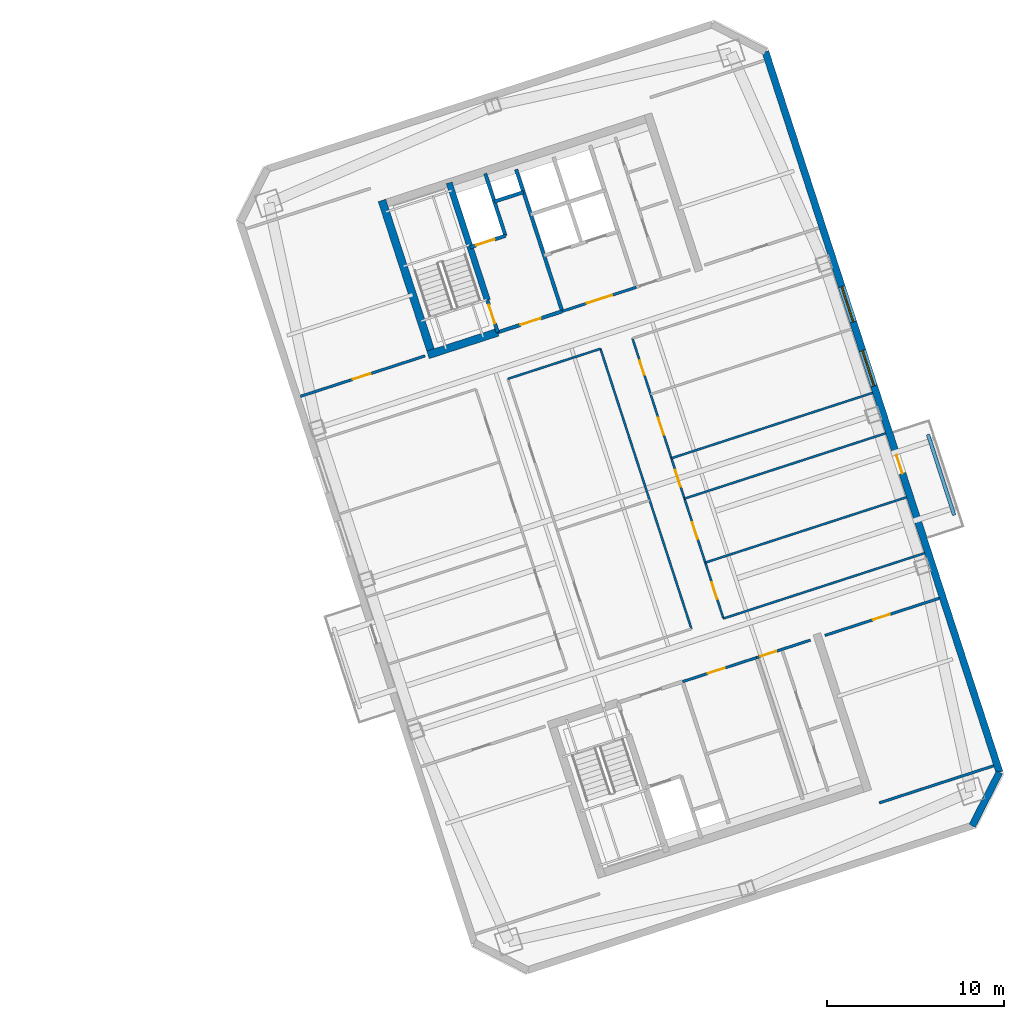
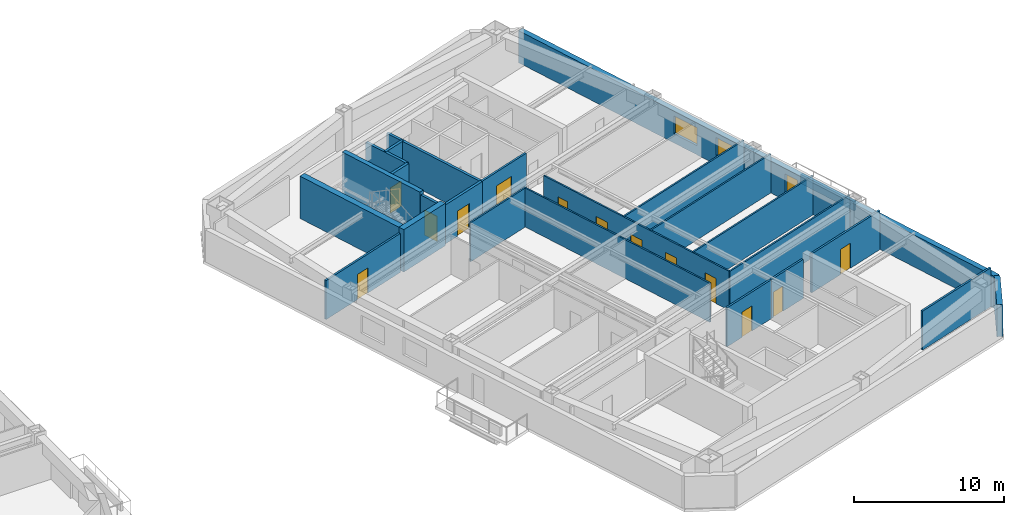
# One storey, part 10 of 16: 25 walls, 14 doors, 2 windows, 16 openings.
"""IFC4 building model written with IfcOpenShell, lengths in metres."""

import ifcopenshell
import ifcopenshell.guid

model = None  # the IFC model being written
_history = None  # IfcOwnerHistory: only IFC2X3 demands one
_inside = {}  # id of a spatial element -> (the spatial element, [elements in it])
_under = {}  # id of a project, library or spatial element -> (it, [spatial elements below it])
_declared = {}  # id of a project -> (the project, [libraries it declares])
_typed = {}  # id of a type object -> (the type object, [elements of that type])
_made_of = {}  # id of a material, layer set ... -> (it, [elements and type objects made of it])


def new_model(schema):
    """Start an empty IFC model of exactly this schema.

    Asked for "IFC4X3", IfcOpenShell would pick the latest addendum, in which some entities
    have other attributes; the version numbers below select the first issue.
    IFC2X3 requires an IfcOwnerHistory on every rooted entity: one is made here for all.
    """
    global model, _history
    if schema == "IFC4X3":
        model = ifcopenshell.file(schema_version=(4, 3, 0, 0))
    else:
        model = ifcopenshell.file(schema=schema)
    _inside.clear()
    _under.clear()
    _declared.clear()
    _typed.clear()
    _made_of.clear()
    _history = None
    if model.schema == "IFC2X3":
        org = make("IfcOrganization", Name="unknown")
        user = make(
            "IfcPersonAndOrganization",
            ThePerson=make("IfcPerson", FamilyName="unknown"),
            TheOrganization=org,
        )
        app = make(
            "IfcApplication",
            ApplicationDeveloper=org,
            Version="unknown",
            ApplicationFullName="unknown",
            ApplicationIdentifier="unknown",
        )
        _history = make(
            "IfcOwnerHistory",
            OwningUser=user,
            OwningApplication=app,
            ChangeAction="ADDED",
            CreationDate=0,
        )
    return model


def make(cls, **values):
    """One entity of the class cls with the attributes given. An attribute that is None is left unset."""
    return model.create_entity(
        cls, **{name: value for name, value in values.items() if value is not None}
    )


def rooted(cls, **values):
    """An entity with a GlobalId (a new one), such as an element, a storey or a relation."""
    return make(cls, GlobalId=ifcopenshell.guid.new(), OwnerHistory=_history, **values)


def si_unit(unit_type, name, prefix=None):
    """IfcSIUnit, for example si_unit("LENGTHUNIT", "METRE", prefix="MILLI")."""
    return make("IfcSIUnit", UnitType=unit_type, Prefix=prefix, Name=name)


def assignment(units):
    """IfcUnitAssignment: the units of a project."""
    return None if units is None else make("IfcUnitAssignment", Units=units)


def point(xyz):
    """IfcCartesianPoint."""
    return None if xyz is None else make("IfcCartesianPoint", Coordinates=xyz)


def direction(xyz):
    """IfcDirection."""
    return None if xyz is None else make("IfcDirection", DirectionRatios=xyz)


def frame(location, z_axis=None, x_axis=None):
    """IfcAxis2Placement3D, a coordinate frame: its origin and axes. An axis left out is left unset."""
    return make(
        "IfcAxis2Placement3D",
        Location=point(location),
        Axis=direction(z_axis),
        RefDirection=direction(x_axis),
    )


def frame_2d(location, x_axis=None):
    """IfcAxis2Placement2D, a coordinate frame in the plane: its origin and x axis."""
    return make(
        "IfcAxis2Placement2D", Location=point(location), RefDirection=direction(x_axis)
    )


def origin():
    """The frame at (0, 0, 0) with its axes left unset."""
    return frame((0.0, 0.0, 0.0))


def place(relative_to, where):
    """IfcLocalPlacement: puts the frame where relative to a parent placement (None: the world)."""
    return make(
        "IfcLocalPlacement", PlacementRelTo=relative_to, RelativePlacement=where
    )


def context(
    kind, dimensions, precision=None, world=None, true_north=None, identifier=None
):
    """IfcGeometricRepresentationContext, for example the 3D "Model" context."""
    return make(
        "IfcGeometricRepresentationContext",
        ContextIdentifier=identifier,
        ContextType=kind,
        CoordinateSpaceDimension=dimensions,
        Precision=precision,
        WorldCoordinateSystem=world,
        TrueNorth=true_north,
    )


def subcontext(parent, identifier, kind, view, scale=None):
    """IfcGeometricRepresentationSubContext, for example "Body" below "Model"."""
    return make(
        "IfcGeometricRepresentationSubContext",
        ContextIdentifier=identifier,
        ContextType=kind,
        ParentContext=parent,
        TargetScale=scale,
        TargetView=view,
    )


def project(units=None, contexts=None):
    """IfcProject with its units and contexts."""
    return rooted(
        "IfcProject",
        Name="project",
        RepresentationContexts=contexts,
        UnitsInContext=assignment(units),
    )


def spatial(cls, under=None, at=None, **own):
    """A site, building, storey or space (cls), placed at a placement, below another one or the project."""
    s = rooted(cls, ObjectPlacement=at, **own)
    if under is not None:
        _under.setdefault(under.id(), (under, []))[1].append(s)
    return s


def profile(cls, at=None, kind="AREA", **sizes):
    """A parametric profile (cls). Its sizes go by their IFC names, for example OverallWidth=200.0."""
    return make(cls, ProfileType=kind, Position=at, **sizes)


def rectangle(**sizes):
    """IfcRectangleProfileDef."""
    return profile("IfcRectangleProfileDef", **sizes)


def extrude(swept, where, along, depth):
    """IfcExtrudedAreaSolid: the profile swept, set in the frame where, extruded along a direction by depth."""
    return make(
        "IfcExtrudedAreaSolid",
        SweptArea=swept,
        Position=where,
        ExtrudedDirection=direction(along),
        Depth=depth,
    )


def shape(context_of_items, identifier, shape_type, items):
    """IfcShapeRepresentation: the items that make up one representation, for example the "Body"."""
    return make(
        "IfcShapeRepresentation",
        ContextOfItems=context_of_items,
        RepresentationIdentifier=identifier,
        RepresentationType=shape_type,
        Items=items,
    )


def material(Name=None, Category=None):
    """IfcMaterial."""
    return make("IfcMaterial", Name=Name, Category=Category)


def layer(
    of_material, thickness, ventilated=None, Name=None, Category=None, Priority=None
):
    """IfcMaterialLayer: one layer of a wall or slab, of a material (None: an air gap)."""
    return make(
        "IfcMaterialLayer",
        Material=of_material,
        LayerThickness=thickness,
        IsVentilated=ventilated,
        Name=Name,
        Category=Category,
        Priority=Priority,
    )


def layer_set(layers, Name=None):
    """IfcMaterialLayerSet."""
    return make("IfcMaterialLayerSet", MaterialLayers=layers, LayerSetName=Name)


def made_of(thing, what):
    """Note that an element or type object is made of a material, layer set ...; save() writes the relation."""
    if what is not None:
        _made_of.setdefault(what.id(), (what, []))[1].append(thing)
    return thing


def type_object(cls, material=None, **own):
    """A type object (cls), such as IfcWallType, which elements share."""
    return made_of(rooted(cls, **own), material)


def element(
    cls,
    number,
    at=None,
    inside=None,
    cuts=None,
    type_object=None,
    material=None,
    context=None,
    identifier="Body",
    shape_type=None,
    held_by="IfcProductDefinitionShape",
    body=None,
    shapes=None,
    **own,
):
    """One element of the class cls, such as IfcWall. Its Tag is "e" and its number.

    at: its placement. inside: the storey or other place that contains it. cuts: it is an
    opening in that element (IfcRelVoidsElement). A single representation is given by context,
    identifier, shape_type and body (its items); several are given by shapes. held_by: the class
    of the entity that holds the representations. save() writes the other relations.
    """
    e = rooted(cls, Tag="e%d" % number, ObjectPlacement=at, **own)
    if body is not None:
        shapes = [shape(context, identifier, shape_type, body)]
    if shapes is not None:
        e.Representation = make(held_by, Representations=shapes)
    if inside is not None:
        _inside.setdefault(inside.id(), (inside, []))[1].append(e)
    if cuts is not None:
        rooted(
            "IfcRelVoidsElement", RelatingBuildingElement=cuts, RelatedOpeningElement=e
        )
    if type_object is not None:
        _typed.setdefault(type_object.id(), (type_object, []))[1].append(e)
    return made_of(e, material)


def fill(opening, filler):
    """IfcRelFillsElement: the door or window that sits in an opening."""
    return rooted(
        "IfcRelFillsElement",
        RelatingOpeningElement=opening,
        RelatedBuildingElement=filler,
    )


def aggregate(whole, parts):
    """IfcRelAggregates: a whole, such as a stair, and the parts it consists of."""
    return rooted("IfcRelAggregates", RelatingObject=whole, RelatedObjects=parts)


def save(model, path):
    """Write the relations noted so far, then the file.

    IfcRelAggregates (storeys below a building ...), IfcRelContainedInSpatialStructure (elements
    in a storey), IfcRelDefinesByType, IfcRelAssociatesMaterial and IfcRelDeclares: one each for
    every whole, place, type object, material and project.
    """
    for whole, parts in _under.values():
        aggregate(whole, parts)
    for where, things in _inside.values():
        rooted(
            "IfcRelContainedInSpatialStructure",
            RelatedElements=things,
            RelatingStructure=where,
        )
    for kind, things in _typed.values():
        rooted("IfcRelDefinesByType", RelatedObjects=things, RelatingType=kind)
    for what, things in _made_of.values():
        rooted("IfcRelAssociatesMaterial", RelatedObjects=things, RelatingMaterial=what)
    for by, libraries in _declared.values():
        rooted("IfcRelDeclares", RelatingContext=by, RelatedDefinitions=libraries)
    model.write(path)


model = new_model("IFC4")

# Units and contexts
model_context = context("Model", 3, precision=1e-05, world=origin(), true_north=direction((0.0, 1.0)))
body_context = subcontext(model_context, "Body", "Model", "MODEL_VIEW")
ifc_project = project(units=[si_unit("LENGTHUNIT", "METRE"), si_unit("AREAUNIT", "SQUARE_METRE"), si_unit("VOLUMEUNIT", "CUBIC_METRE"), si_unit("PLANEANGLEUNIT", "RADIAN"), si_unit("MASSUNIT", "GRAM", prefix="KILO")], contexts=[model_context])

# Site, building, storey
site_placement = place(None, origin())
site = spatial("IfcSite", under=ifc_project, at=site_placement, CompositionType="ELEMENT")
building_placement = place(site_placement, origin())
building = spatial("IfcBuilding", under=site, at=building_placement, Name="Qiaolan Cultural Towers", CompositionType="ELEMENT")
storey_placement = place(building_placement, frame((0.0, 0.0, 188.60009765625)))
storey = spatial("IfcBuildingStorey", under=building, at=storey_placement, Name="L50", CompositionType="ELEMENT", Elevation=188.60009765625)

# Walls
ifc_material_1 = material(Name="Concrete C50", Category="concrete")
ifc_layer_1 = layer(ifc_material_1, 0.35009765625)
ifc_layer_set_1 = layer_set([ifc_layer_1], Name="Concrete C50")
wall_type_1 = type_object("IfcWallType", Name="WL-CORE-350", PredefinedType="SHEAR", material=ifc_layer_set_1)
wall_1_placement = place(storey_placement, frame((82.513671875, 45.13134765625, 0.0), z_axis=(0.0, 0.0, 1.0), x_axis=(-0.308988790936, 0.951065679686, 0.0)))
element("IfcWall", 1, at=wall_1_placement, inside=storey, type_object=wall_type_1, Name="L50 T2-CN Stair Core Dividing Web", PredefinedType="SHEAR", context=body_context, shape_type="SweptSolid", body=[
    extrude(rectangle(XDim=6.97998046875, YDim=0.35009765625, at=frame_2d((3.489990234375, 0.0))), origin(), (0.0, 0.0, 1.0), 3.449951171875),
])
ifc_material_2 = material(Name="Concrete C50", Category="concrete")
ifc_layer_2 = layer(ifc_material_2, 0.449951171875)
ifc_layer_set_2 = layer_set([ifc_layer_2], Name="Concrete C50")
wall_type_2 = type_object("IfcWallType", Name="WL-CORE-450", PredefinedType="SHEAR", material=ifc_layer_set_2)
wall_2_placement = place(storey_placement, frame((79.4423828125, 41.899169921875, 0.0), z_axis=(0.0, 0.0, 1.0), x_axis=(-0.309035778627, 0.951050412717, 0.0)))
element("IfcWall", 2, at=wall_2_placement, inside=storey, type_object=wall_type_2, Name="L50 T2-CN West Core Shear Wall", PredefinedType="SHEAR", context=body_context, shape_type="SweptSolid", body=[
    extrude(rectangle(XDim=9.330078125, YDim=0.449951171875, at=frame_2d((4.6650390625, 0.0))), origin(), (0.0, 0.0, 1.0), 3.449951171875),
])
wall_3_placement = place(storey_placement, frame((79.15869140625, 42.04345703125, 0.0), z_axis=(0.0, 0.0, 1.0), x_axis=(0.951047485828, 0.309044785913, 0.0)))
element("IfcWall", 3, at=wall_3_placement, inside=storey, type_object=wall_type_2, Name="L50 T2-CN Stair Front Shear Wall", PredefinedType="SHEAR", context=body_context, shape_type="SweptSolid", body=[
    extrude(rectangle(XDim=4.14501953125, YDim=0.449951171875, at=frame_2d((2.072509765625, 0.0))), origin(), (0.0, 0.0, 1.0), 3.449951171875),
])

# Wall, openings, door, windows
ifc_material_3 = material(Name="Precast Concrete C50 Honed Stone Pier", Category="masonry")
ifc_layer_3 = layer(ifc_material_3, 0.39990234375)
ifc_layer_set_3 = layer_set([ifc_layer_3], Name="Precast Concrete C50 Honed Stone Pier")
wall_type_3 = type_object("IfcWallType", Name="WL-EXT-PIER-400", PredefinedType="SOLIDWALL", material=ifc_layer_set_3)
wall_4_placement = place(storey_placement, frame((98.2236328125, 59.17333984375, 0.0), z_axis=(0.0, 0.0, 1.0), x_axis=(0.309014228706, -0.951057414911, 0.0)))
wall_4 = element("IfcWall", 4, at=wall_4_placement, inside=storey, type_object=wall_type_3, Name="L50 East Tower Precast Pier Facade Wall F5", PredefinedType="SOLIDWALL", context=body_context, shape_type="SweptSolid", body=[
    extrude(rectangle(XDim=42.800048828125, YDim=0.39990234375, at=frame_2d((21.39990234375, 0.0))), origin(), (0.0, 0.0, 1.0), 2.60986328125),
])
opening_1_placement = place(wall_4_placement, frame((17.75, 0.0, 0.75)))
opening_1 = element("IfcOpeningElement", 5, at=opening_1_placement, cuts=wall_4, Name="Opening W-05", PredefinedType="OPENING", context=body_context, shape_type="SweptSolid", body=[
    extrude(rectangle(XDim=2.10009765625, YDim=1.4599609375, at=frame_2d((1.050048828125, 0.72998046875))), frame((0.0, 0.2099609375, 0.0), z_axis=(0.0, -1.0, 0.0), x_axis=(1.0, 0.0, 0.0)), (0.0, 0.0, 1.0), 0.419921875),
])
opening_2_placement = place(wall_4_placement, frame((13.949951171875, 0.0, 0.75)))
opening_2 = element("IfcOpeningElement", 6, at=opening_2_placement, cuts=wall_4, Name="Opening W-05", PredefinedType="OPENING", context=body_context, shape_type="SweptSolid", body=[
    extrude(rectangle(XDim=2.10009765625, YDim=1.4599609375, at=frame_2d((1.050048828125, 0.72998046875))), frame((0.0, 0.2099609375, 0.0), z_axis=(0.0, -1.0, 0.0), x_axis=(1.0, 0.0, 0.0)), (0.0, 0.0, 1.0), 0.419921875),
])
opening_3_placement = place(wall_4_placement, frame((23.949951171875, 0.0, 0.0)))
opening_3 = element("IfcOpeningElement", 7, at=opening_3_placement, cuts=wall_4, Name="Opening BD-01", PredefinedType="OPENING", context=body_context, shape_type="SweptSolid", body=[
    extrude(rectangle(XDim=1.10009765625, YDim=2.14990234375, at=frame_2d((0.550048828125, 1.074951171875))), frame((0.0, 0.2099609375, 0.0), z_axis=(0.0, -1.0, 0.0), x_axis=(1.0, 0.0, 0.0)), (0.0, 0.0, 1.0), 0.419921875),
])
ifc_material_4 = material(Name="Thermally Broken Aluminium Glazed Terrace Door", Category="aluminium")
door_type_1 = type_object("IfcDoorType", Name="DR-BAL-1100", OperationType="NOTDEFINED", PredefinedType="DOOR", material=ifc_material_4)
door_1_placement = place(opening_3_placement, origin())
door_1 = element("IfcDoor", 8, at=door_1_placement, inside=storey, type_object=door_type_1, Name="L50 T2 East Tree Balcony Door", OperationType="SINGLE_SWING_RIGHT", OverallHeight=2.14990234375, OverallWidth=1.10009765625, PredefinedType="DOOR", context=body_context, shape_type="SweptSolid", body=[
    extrude(rectangle(XDim=1.10009765625, YDim=2.14990234375, at=frame_2d((0.550048828125, 1.074951171875))), frame((0.0, 0.02490234375, 0.0), z_axis=(0.0, -1.0, 0.0), x_axis=(1.0, 0.0, 0.0)), (0.0, 0.0, 1.0), 0.050048828125),
])
fill(opening_3, door_1)
ifc_material_5 = material(Name="Thermally Broken Aluminium Triple Low-E Glazing", Category="aluminium")
window_type = type_object("IfcWindowType", Name="WN-CHIC-2100", PartitioningType="SINGLE_PANEL", PredefinedType="WINDOW", material=ifc_material_5)
window_1_placement = place(opening_1_placement, origin())
window_1 = element("IfcWindow", 9, at=window_1_placement, inside=storey, type_object=window_type, Name="L50 T2 E Chicago Bay Window 1", OverallHeight=1.4599609375, OverallWidth=2.10009765625, PartitioningType="TRIPLE_PANEL_VERTICAL", PredefinedType="WINDOW", context=body_context, shape_type="SweptSolid", body=[
    extrude(rectangle(XDim=2.10009765625, YDim=1.4599609375, at=frame_2d((1.050048828125, 0.72998046875))), frame((0.0, 0.030029296875, 0.0), z_axis=(0.0, -1.0, 0.0), x_axis=(1.0, 0.0, 0.0)), (0.0, 0.0, 1.0), 0.06005859375),
])
fill(opening_1, window_1)
window_2_placement = place(opening_2_placement, origin())
window_2 = element("IfcWindow", 10, at=window_2_placement, inside=storey, type_object=window_type, Name="L50 T2 E Chicago Bay Window 2", OverallHeight=1.4599609375, OverallWidth=2.10009765625, PartitioningType="TRIPLE_PANEL_VERTICAL", PredefinedType="WINDOW", context=body_context, shape_type="SweptSolid", body=[
    extrude(rectangle(XDim=2.10009765625, YDim=1.4599609375, at=frame_2d((1.050048828125, 0.72998046875))), frame((0.0, 0.030029296875, 0.0), z_axis=(0.0, -1.0, 0.0), x_axis=(1.0, 0.0, 0.0)), (0.0, 0.0, 1.0), 0.06005859375),
])
fill(opening_2, window_2)

# Wall
wall_5_placement = place(storey_placement, frame((111.449462890625, 18.468017578125, 0.0), z_axis=(0.0, 0.0, 1.0), x_axis=(-0.454019523198, -0.890991735402, 0.0)))
element("IfcWall", 11, at=wall_5_placement, inside=storey, type_object=wall_type_3, Name="L50 East Tower Precast Pier Facade Wall F6", PredefinedType="SOLIDWALL", context=body_context, shape_type="SweptSolid", body=[
    extrude(rectangle(XDim=3.39404296875, YDim=0.39990234375, at=frame_2d((1.697021484375, 0.0))), origin(), (0.0, 0.0, 1.0), 2.60986328125),
])

# Wall, opening, door
ifc_material_6 = material(Name="Concrete C35 Fire Wall", Category="concrete")
ifc_layer_4 = layer(ifc_material_6, 0.199951171875)
ifc_layer_set_4 = layer_set([ifc_layer_4], Name="Concrete C35 Fire Wall")
wall_type_4 = type_object("IfcWallType", Name="WL-FIRE-200", PredefinedType="PARTITIONING", material=ifc_layer_set_4)
wall_6_placement = place(storey_placement, frame((83.100830078125, 43.324462890625, 0.0), z_axis=(0.0, 0.0, 1.0), x_axis=(-0.309048298632, 0.951046344356, 0.0)))
wall_6 = element("IfcWall", 12, at=wall_6_placement, inside=storey, type_object=wall_type_4, Name="L50 T2-CN Smokeproof Stair Entry Wall", PredefinedType="PARTITIONING", context=body_context, shape_type="SweptSolid", body=[
    extrude(rectangle(XDim=1.89990234375, YDim=0.199951171875, at=frame_2d((0.949951171875, 0.0))), origin(), (0.0, 0.0, 1.0), 3.1748046875),
])
opening_4_placement = place(wall_6_placement, frame((0.52001953125, 0.0, 0.0)))
opening_4 = element("IfcOpeningElement", 13, at=opening_4_placement, cuts=wall_6, Name="Opening FD-04", PredefinedType="OPENING", context=body_context, shape_type="SweptSolid", body=[
    extrude(rectangle(XDim=1.10009765625, YDim=2.050048828125, at=frame_2d((0.550048828125, 1.02490234375))), frame((0.0, 0.10986328125, 0.0), z_axis=(0.0, -1.0, 0.0), x_axis=(1.0, 0.0, 0.0)), (0.0, 0.0, 1.0), 0.219970703125),
])
ifc_material_7 = material(Name="Galvanized Steel Command Fire Door", Category="steel")
door_type_2 = type_object("IfcDoorType", Name="DR-FD90-1100", OperationType="NOTDEFINED", PredefinedType="DOOR", material=ifc_material_7)
door_2_placement = place(opening_4_placement, origin())
door_2 = element("IfcDoor", 14, at=door_2_placement, inside=storey, type_object=door_type_2, Name="L50 ST-E2 Smokeproof Stair Fire Door", OperationType="SINGLE_SWING_LEFT", OverallHeight=2.050048828125, OverallWidth=1.10009765625, PredefinedType="DOOR", context=body_context, shape_type="SweptSolid", body=[
    extrude(rectangle(XDim=1.10009765625, YDim=2.050048828125, at=frame_2d((0.550048828125, 1.02490234375))), frame((0.0, 0.02490234375, 0.0), z_axis=(0.0, -1.0, 0.0), x_axis=(1.0, 0.0, 0.0)), (0.0, 0.0, 1.0), 0.050048828125),
])
fill(opening_4, door_2)

# Wall
wall_7_placement = place(storey_placement, frame((86.743408203125, 44.508056640625, 0.0), z_axis=(0.0, 0.0, 1.0), x_axis=(-0.309016001439, 0.951056838919, 0.0)))
element("IfcWall", 15, at=wall_7_placement, inside=storey, type_object=wall_type_4, Name="L50 T2-CN Firefighting Zone Wall", PredefinedType="PARTITIONING", context=body_context, shape_type="SweptSolid", body=[
    extrude(rectangle(XDim=8.429931640625, YDim=0.199951171875, at=frame_2d((4.21484375, 0.0))), origin(), (0.0, 0.0, 1.0), 3.1748046875),
])

# Wall, opening, door
wall_8_placement = place(storey_placement, frame((83.100830078125, 43.324462890625, 0.0), z_axis=(0.0, 0.0, 1.0), x_axis=(0.951052804469, 0.309028417967, 0.0)))
wall_8 = element("IfcWall", 16, at=wall_8_placement, inside=storey, type_object=wall_type_4, Name="L50 T2-CN Firefighting Lobby Front Wall", PredefinedType="PARTITIONING", context=body_context, shape_type="SweptSolid", body=[
    extrude(rectangle(XDim=3.830078125, YDim=0.199951171875, at=frame_2d((1.9150390625, 0.0))), origin(), (0.0, 0.0, 1.0), 3.1748046875),
])
opening_5_placement = place(wall_8_placement, frame((1.35009765625, 0.0, 0.0)))
opening_5 = element("IfcOpeningElement", 17, at=opening_5_placement, cuts=wall_8, Name="Opening FD-03", PredefinedType="OPENING", context=body_context, shape_type="SweptSolid", body=[
    extrude(rectangle(XDim=1.199951171875, YDim=2.050048828125, at=frame_2d((0.60009765625, 1.02490234375))), frame((0.0, 0.10986328125, 0.0), z_axis=(0.0, -1.0, 0.0), x_axis=(1.0, 0.0, 0.0)), (0.0, 0.0, 1.0), 0.219970703125),
])
ifc_material_8 = material(Name="Galvanized Steel Smokeproof Lobby Fire Door", Category="steel")
door_type_3 = type_object("IfcDoorType", Name="DR-FD90-1200", OperationType="NOTDEFINED", PredefinedType="DOOR", material=ifc_material_8)
door_3_placement = place(opening_5_placement, origin())
door_3 = element("IfcDoor", 18, at=door_3_placement, inside=storey, type_object=door_type_3, Name="L50 FFL-E2 Firefighting Lobby Fire Door", OperationType="SINGLE_SWING_LEFT", OverallHeight=2.050048828125, OverallWidth=1.199951171875, PredefinedType="DOOR", context=body_context, shape_type="SweptSolid", body=[
    extrude(rectangle(XDim=1.199951171875, YDim=2.050048828125, at=frame_2d((0.60009765625, 1.02490234375))), frame((0.0, 0.02490234375, 0.0), z_axis=(0.0, -1.0, 0.0), x_axis=(1.0, 0.0, 0.0)), (0.0, 0.0, 1.0), 0.050048828125),
])
fill(opening_5, door_3)

wall_9_placement = place(storey_placement, frame((81.540283203125, 48.127197265625, 0.0), z_axis=(0.0, 0.0, 1.0), x_axis=(0.951062257173, 0.308999325213, 0.0)))
wall_9 = element("IfcWall", 19, at=wall_9_placement, inside=storey, type_object=wall_type_4, Name="L50 T2-CN Firefighting Shaft Front Wall", PredefinedType="PARTITIONING", context=body_context, shape_type="SweptSolid", body=[
    extrude(rectangle(XDim=2.10009765625, YDim=0.199951171875, at=frame_2d((1.050048828125, 0.0))), origin(), (0.0, 0.0, 1.0), 3.1748046875),
])
opening_6_placement = place(wall_9_placement, frame((0.35009765625, 0.0, 0.0)))
opening_6 = element("IfcOpeningElement", 20, at=opening_6_placement, cuts=wall_9, Name="Opening LD-01", PredefinedType="OPENING", context=body_context, shape_type="SweptSolid", body=[
    extrude(rectangle(XDim=1.10009765625, YDim=2.050048828125, at=frame_2d((0.550048828125, 1.02490234375))), frame((0.0, 0.10986328125, 0.0), z_axis=(0.0, -1.0, 0.0), x_axis=(1.0, 0.0, 0.0)), (0.0, 0.0, 1.0), 0.219970703125),
])
ifc_material_9 = material(Name="Brushed Stainless Steel S30408 Centre-Parting Lift Landing Door", Category="steel")
door_type_4 = type_object("IfcDoorType", Name="DR-LIFT-1100", OperationType="NOTDEFINED", PredefinedType="DOOR", material=ifc_material_9)
door_4_placement = place(opening_6_placement, origin())
door_4 = element("IfcDoor", 21, at=door_4_placement, inside=storey, type_object=door_type_4, Name="L50 FFL-E2 Firefighting Lift Landing Door", OperationType="DOUBLE_DOOR_SLIDING", OverallHeight=2.050048828125, OverallWidth=1.10009765625, PredefinedType="DOOR", context=body_context, shape_type="SweptSolid", body=[
    extrude(rectangle(XDim=1.10009765625, YDim=2.050048828125, at=frame_2d((0.550048828125, 1.02490234375))), frame((0.0, 0.02490234375, 0.0), z_axis=(0.0, -1.0, 0.0), x_axis=(1.0, 0.0, 0.0)), (0.0, 0.0, 1.0), 0.050048828125),
])
fill(opening_6, door_4)

# Walls
wall_10_placement = place(storey_placement, frame((83.53759765625, 48.776123046875, 0.0), z_axis=(0.0, 0.0, 1.0), x_axis=(-0.3089935693, 0.951064127245, 0.0)))
element("IfcWall", 22, at=wall_10_placement, inside=storey, type_object=wall_type_4, Name="L50 T2-CN Firefighting Hoistway East Wall", PredefinedType="PARTITIONING", context=body_context, shape_type="SweptSolid", body=[
    extrude(rectangle(XDim=3.7001953125, YDim=0.199951171875, at=frame_2d((1.85009765625, 0.0))), origin(), (0.0, 0.0, 1.0), 3.1748046875),
])
wall_11_placement = place(storey_placement, frame((82.910400390625, 50.706787109375, 0.0), z_axis=(0.0, 0.0, 1.0), x_axis=(0.951041328149, 0.309063734775, 0.0)))
element("IfcWall", 23, at=wall_11_placement, inside=storey, type_object=wall_type_4, Name="L50 T2-CN Pressurization Shaft Front Wall", PredefinedType="PARTITIONING", context=body_context, shape_type="SweptSolid", body=[
    extrude(rectangle(XDim=1.72998046875, YDim=0.199951171875, at=frame_2d((0.864990234375, 0.0))), origin(), (0.0, 0.0, 1.0), 3.1748046875),
])
ifc_material_10 = material(Name="Gypsum Stud Acoustic Partition", Category="gypsum")
ifc_layer_5 = layer(ifc_material_10, 0.1201171875)
ifc_layer_set_5 = layer_set([ifc_layer_5], Name="Gypsum Stud Acoustic Partition")
wall_type_5 = type_object("IfcWallType", Name="WL-PART-120", PredefinedType="PARTITIONING", material=ifc_layer_set_5)
wall_12_placement = place(storey_placement, frame((95.85205078125, 27.1533203125, 0.0), z_axis=(0.0, 0.0, 1.0), x_axis=(0.951054485045, 0.30902324585, 0.0)))
element("IfcWall", 24, at=wall_12_placement, inside=storey, type_object=wall_type_5, Name="L50 T2 Interior Wall", PredefinedType="PARTITIONING", context=body_context, shape_type="SweptSolid", body=[
    extrude(rectangle(XDim=11.9501953125, YDim=0.1201171875, at=frame_2d((5.97509765625, 0.0))), origin(), (0.0, 0.0, 1.0), 3.1748046875),
])
wall_13_placement = place(storey_placement, frame((83.67236328125, 40.692138671875, 0.0), z_axis=(0.0, 0.0, 1.0), x_axis=(0.951048747115, 0.30904090443, 0.0)))
element("IfcWall", 25, at=wall_13_placement, inside=storey, type_object=wall_type_5, Name="L50 T2 Interior Wall", PredefinedType="PARTITIONING", context=body_context, shape_type="SweptSolid", body=[
    extrude(rectangle(XDim=5.5, YDim=0.1201171875, at=frame_2d((2.75, 0.0))), origin(), (0.0, 0.0, 1.0), 3.1748046875),
])
wall_14_placement = place(storey_placement, frame((94.045166015625, 26.566162109375, 0.0), z_axis=(0.0, 0.0, 1.0), x_axis=(-0.30901773025, 0.951056277195, 0.0)))
element("IfcWall", 26, at=wall_14_placement, inside=storey, type_object=wall_type_5, Name="L50 T2 Interior Wall", PredefinedType="PARTITIONING", context=body_context, shape_type="SweptSolid", body=[
    extrude(rectangle(XDim=16.64013671875, YDim=0.1201171875, at=frame_2d((8.320068359375, 0.0))), origin(), (0.0, 0.0, 1.0), 3.1748046875),
])

# Wall, openings, doors
wall_15_placement = place(storey_placement, frame((95.85205078125, 27.1533203125, 0.0), z_axis=(0.0, 0.0, 1.0), x_axis=(-0.309004459387, 0.951060589068, 0.0)))
wall_15 = element("IfcWall", 27, at=wall_15_placement, inside=storey, type_object=wall_type_5, Name="L50 T2 Interior Wall", PredefinedType="PARTITIONING", context=body_context, shape_type="SweptSolid", body=[
    extrude(rectangle(XDim=16.64013671875, YDim=0.1201171875, at=frame_2d((8.320068359375, 0.0))), origin(), (0.0, 0.0, 1.0), 3.1748046875),
])
opening_7_placement = place(wall_15_placement, frame((1.159912109375, 0.0, 0.0)))
opening_7 = element("IfcOpeningElement", 28, at=opening_7_placement, cuts=wall_15, Name="Opening ID-04", PredefinedType="OPENING", context=body_context, shape_type="SweptSolid", body=[
    extrude(rectangle(XDim=1.0, YDim=2.050048828125, at=frame_2d((0.5, 1.02490234375))), frame((0.0, 0.070068359375, 0.0), z_axis=(0.0, -1.0, 0.0), x_axis=(1.0, 0.0, 0.0)), (0.0, 0.0, 1.0), 0.14013671875),
])
opening_8_placement = place(wall_15_placement, frame((4.719970703125, 0.0, 0.0)))
opening_8 = element("IfcOpeningElement", 29, at=opening_8_placement, cuts=wall_15, Name="Opening ID-04", PredefinedType="OPENING", context=body_context, shape_type="SweptSolid", body=[
    extrude(rectangle(XDim=1.0, YDim=2.050048828125, at=frame_2d((0.5, 1.02490234375))), frame((0.0, 0.070068359375, 0.0), z_axis=(0.0, -1.0, 0.0), x_axis=(1.0, 0.0, 0.0)), (0.0, 0.0, 1.0), 0.14013671875),
])
opening_9_placement = place(wall_15_placement, frame((7.820068359375, 0.0, 0.0)))
opening_9 = element("IfcOpeningElement", 30, at=opening_9_placement, cuts=wall_15, Name="Opening ID-04", PredefinedType="OPENING", context=body_context, shape_type="SweptSolid", body=[
    extrude(rectangle(XDim=1.0, YDim=2.050048828125, at=frame_2d((0.5, 1.02490234375))), frame((0.0, 0.070068359375, 0.0), z_axis=(0.0, -1.0, 0.0), x_axis=(1.0, 0.0, 0.0)), (0.0, 0.0, 1.0), 0.14013671875),
])
opening_10_placement = place(wall_15_placement, frame((10.919921875, 0.0, 0.0)))
opening_10 = element("IfcOpeningElement", 31, at=opening_10_placement, cuts=wall_15, Name="Opening ID-04", PredefinedType="OPENING", context=body_context, shape_type="SweptSolid", body=[
    extrude(rectangle(XDim=1.0, YDim=2.050048828125, at=frame_2d((0.5, 1.02490234375))), frame((0.0, 0.070068359375, 0.0), z_axis=(0.0, -1.0, 0.0), x_axis=(1.0, 0.0, 0.0)), (0.0, 0.0, 1.0), 0.14013671875),
])
opening_11_placement = place(wall_15_placement, frame((14.47998046875, 0.0, 0.0)))
opening_11 = element("IfcOpeningElement", 32, at=opening_11_placement, cuts=wall_15, Name="Opening ID-09", PredefinedType="OPENING", context=body_context, shape_type="SweptSolid", body=[
    extrude(rectangle(XDim=0.85009765625, YDim=2.050048828125, at=frame_2d((0.425048828125, 1.02490234375))), frame((0.0, 0.070068359375, 0.0), z_axis=(0.0, -1.0, 0.0), x_axis=(1.0, 0.0, 0.0)), (0.0, 0.0, 1.0), 0.14013671875),
])
ifc_material_11 = material(Name="Oak Veneer Acoustic Office Door", Category="timber")
door_type_5 = type_object("IfcDoorType", Name="DR-INT-1000", OperationType="NOTDEFINED", PredefinedType="DOOR", material=ifc_material_11)
door_5_placement = place(opening_7_placement, origin())
door_5 = element("IfcDoor", 33, at=door_5_placement, inside=storey, type_object=door_type_5, Name="L50 T2 Legal Library Salon Door", OperationType="SINGLE_SWING_RIGHT", OverallHeight=2.050048828125, OverallWidth=1.0, PredefinedType="DOOR", context=body_context, shape_type="SweptSolid", body=[
    extrude(rectangle(XDim=1.0, YDim=2.050048828125, at=frame_2d((0.5, 1.02490234375))), frame((0.0, 0.02490234375, 0.0), z_axis=(0.0, -1.0, 0.0), x_axis=(1.0, 0.0, 0.0)), (0.0, 0.0, 1.0), 0.050048828125),
])
fill(opening_7, door_5)
door_6_placement = place(opening_8_placement, origin())
door_6 = element("IfcDoor", 34, at=door_6_placement, inside=storey, type_object=door_type_5, Name="L50 T2 Client Hospitality Kitchen Door", OperationType="SINGLE_SWING_LEFT", OverallHeight=2.050048828125, OverallWidth=1.0, PredefinedType="DOOR", context=body_context, shape_type="SweptSolid", body=[
    extrude(rectangle(XDim=1.0, YDim=2.050048828125, at=frame_2d((0.5, 1.02490234375))), frame((0.0, 0.02490234375, 0.0), z_axis=(0.0, -1.0, 0.0), x_axis=(1.0, 0.0, 0.0)), (0.0, 0.0, 1.0), 0.050048828125),
])
fill(opening_8, door_6)
door_7_placement = place(opening_9_placement, origin())
door_7 = element("IfcDoor", 35, at=door_7_placement, inside=storey, type_object=door_type_5, Name="L50 T2 Client Hospitality Kitchen Door", OperationType="SINGLE_SWING_RIGHT", OverallHeight=2.050048828125, OverallWidth=1.0, PredefinedType="DOOR", context=body_context, shape_type="SweptSolid", body=[
    extrude(rectangle(XDim=1.0, YDim=2.050048828125, at=frame_2d((0.5, 1.02490234375))), frame((0.0, 0.02490234375, 0.0), z_axis=(0.0, -1.0, 0.0), x_axis=(1.0, 0.0, 0.0)), (0.0, 0.0, 1.0), 0.050048828125),
])
fill(opening_9, door_7)
door_8_placement = place(opening_10_placement, origin())
door_8 = element("IfcDoor", 36, at=door_8_placement, inside=storey, type_object=door_type_5, Name="L50 T2 Counsel Lounge Door", OperationType="SINGLE_SWING_LEFT", OverallHeight=2.050048828125, OverallWidth=1.0, PredefinedType="DOOR", context=body_context, shape_type="SweptSolid", body=[
    extrude(rectangle(XDim=1.0, YDim=2.050048828125, at=frame_2d((0.5, 1.02490234375))), frame((0.0, 0.02490234375, 0.0), z_axis=(0.0, -1.0, 0.0), x_axis=(1.0, 0.0, 0.0)), (0.0, 0.0, 1.0), 0.050048828125),
])
fill(opening_10, door_8)
ifc_material_12 = material(Name="Moisture-Resistant Laminate Utility Door", Category="timber")
door_type_6 = type_object("IfcDoorType", Name="DR-INT-850", OperationType="NOTDEFINED", PredefinedType="DOOR", material=ifc_material_12)
door_9_placement = place(opening_11_placement, origin())
door_9 = element("IfcDoor", 37, at=door_9_placement, inside=storey, type_object=door_type_6, Name="L50 T2 First-Aid Care Room Door", OperationType="SINGLE_SWING_RIGHT", OverallHeight=2.050048828125, OverallWidth=0.85009765625, PredefinedType="DOOR", context=body_context, shape_type="SweptSolid", body=[
    extrude(rectangle(XDim=0.85009765625, YDim=2.050048828125, at=frame_2d((0.425048828125, 1.02490234375))), frame((0.0, 0.02490234375, 0.0), z_axis=(0.0, -1.0, 0.0), x_axis=(1.0, 0.0, 0.0)), (0.0, 0.0, 1.0), 0.050048828125),
])
fill(opening_11, door_9)

# Walls
for number, where, z_axis, x_axis, name in (
    (38, (94.826171875, 30.310791015625, 0.0), (0.0, 0.0, 1.0), (0.951054485045, 0.30902324585, 0.0), "L50 T2 Interior Wall"),
    (39, (93.65185546875, 33.9248046875, 0.0), (0.0, 0.0, 1.0), (0.951054485045, 0.30902324585, 0.0), "L50 T2 Interior Wall"),
):
    element("IfcWall", number, at=place(storey_placement, frame(where, z_axis=z_axis, x_axis=x_axis)), inside=storey, type_object=wall_type_5, Name=name, PredefinedType="PARTITIONING", context=body_context, shape_type="SweptSolid", body=[
        extrude(rectangle(XDim=11.9501953125, YDim=0.1201171875, at=frame_2d((5.97509765625, 0.0))), origin(), (0.0, 0.0, 1.0), 3.1748046875),
    ])
wall_16_placement = place(storey_placement, frame((92.910400390625, 36.207275390625, 0.0), z_axis=(0.0, 0.0, 1.0), x_axis=(0.951052534024, 0.309029250277, 0.0)))
element("IfcWall", 40, at=wall_16_placement, inside=storey, type_object=wall_type_5, Name="L50 T2 Interior Wall", PredefinedType="PARTITIONING", context=body_context, shape_type="SweptSolid", body=[
    extrude(rectangle(XDim=11.949951171875, YDim=0.1201171875, at=frame_2d((5.97509765625, 0.0))), origin(), (0.0, 0.0, 1.0), 3.1748046875),
])

# Wall, opening, door
ifc_material_13 = material(Name="Autoclaved Aerated Concrete Block B06", Category="concrete")
ifc_layer_6 = layer(ifc_material_13, 0.14990234375)
ifc_layer_set_6 = layer_set([ifc_layer_6], Name="Autoclaved Aerated Concrete Block B06")
wall_type_6 = type_object("IfcWallType", Name="WL-PART-150", PredefinedType="PARTITIONING", material=ifc_layer_set_6)
wall_17_placement = place(storey_placement, frame((93.541748046875, 23.584716796875, 0.0), z_axis=(0.0, 0.0, 1.0), x_axis=(0.951063829732, 0.308994485023, 0.0)))
wall_17 = element("IfcWall", 41, at=wall_17_placement, inside=storey, type_object=wall_type_6, Name="L50 T2-CS Reclaimed Core Room Front Wall", PredefinedType="PARTITIONING", context=body_context, shape_type="SweptSolid", body=[
    extrude(rectangle(XDim=4.400146484375, YDim=0.14990234375, at=frame_2d((2.2001953125, 0.0))), origin(), (0.0, 0.0, 1.0), 3.1748046875),
])
opening_12_placement = place(wall_17_placement, frame((1.5, 0.0, 0.0)))
opening_12 = element("IfcOpeningElement", 42, at=opening_12_placement, cuts=wall_17, Name="Opening ID-04", PredefinedType="OPENING", context=body_context, shape_type="SweptSolid", body=[
    extrude(rectangle(XDim=1.0, YDim=2.050048828125, at=frame_2d((0.5, 1.02490234375))), frame((0.0, 0.0849609375, 0.0), z_axis=(0.0, -1.0, 0.0), x_axis=(1.0, 0.0, 0.0)), (0.0, 0.0, 1.0), 0.169921875),
])
door_10_placement = place(opening_12_placement, origin())
door_10 = element("IfcDoor", 43, at=door_10_placement, inside=storey, type_object=door_type_5, Name="L50 Focus Pod Room Door", OperationType="SINGLE_SWING_LEFT", OverallHeight=2.050048828125, OverallWidth=1.0, PredefinedType="DOOR", context=body_context, shape_type="SweptSolid", body=[
    extrude(rectangle(XDim=1.0, YDim=2.050048828125, at=frame_2d((0.5, 1.02490234375))), frame((0.0, 0.02490234375, 0.0), z_axis=(0.0, -1.0, 0.0), x_axis=(1.0, 0.0, 0.0)), (0.0, 0.0, 1.0), 0.050048828125),
])
fill(opening_12, door_10)

wall_18_placement = place(storey_placement, frame((97.7265625, 24.9443359375, 0.0), z_axis=(0.0, 0.0, 1.0), x_axis=(0.951036872128, 0.309077446369, 0.0)))
wall_18 = element("IfcWall", 44, at=wall_18_placement, inside=storey, type_object=wall_type_6, Name="L50 T2-CS Sanitary Core Front Wall", PredefinedType="PARTITIONING", context=body_context, shape_type="SweptSolid", body=[
    extrude(rectangle(XDim=3.199951171875, YDim=0.14990234375, at=frame_2d((1.60009765625, 0.0))), origin(), (0.0, 0.0, 1.0), 3.1748046875),
])
opening_13_placement = place(wall_18_placement, frame((0.219970703125, 0.0, 0.0)))
opening_13 = element("IfcOpeningElement", 45, at=opening_13_placement, cuts=wall_18, Name="Opening ID-05", PredefinedType="OPENING", context=body_context, shape_type="SweptSolid", body=[
    extrude(rectangle(XDim=0.949951171875, YDim=2.050048828125, at=frame_2d((0.47509765625, 1.02490234375))), frame((0.0, 0.0849609375, 0.0), z_axis=(0.0, -1.0, 0.0), x_axis=(1.0, 0.0, 0.0)), (0.0, 0.0, 1.0), 0.169921875),
])
ifc_material_14 = material(Name="Fire-Rated Laminate Accessible Core Door", Category="timber")
door_type_7 = type_object("IfcDoorType", Name="DR-INT-950", OperationType="NOTDEFINED", PredefinedType="DOOR", material=ifc_material_14)
door_11_placement = place(opening_13_placement, origin())
door_11 = element("IfcDoor", 46, at=door_11_placement, inside=storey, type_object=door_type_7, Name="L50 Sanitary Lobby Door", OperationType="SINGLE_SWING_LEFT", OverallHeight=2.050048828125, OverallWidth=0.949951171875, PredefinedType="DOOR", context=body_context, shape_type="SweptSolid", body=[
    extrude(rectangle(XDim=0.949951171875, YDim=2.050048828125, at=frame_2d((0.47509765625, 1.02490234375))), frame((0.0, 0.02490234375, 0.0), z_axis=(0.0, -1.0, 0.0), x_axis=(1.0, 0.0, 0.0)), (0.0, 0.0, 1.0), 0.050048828125),
])
fill(opening_13, door_11)

wall_19_placement = place(storey_placement, frame((86.743408203125, 44.508056640625, 0.0), z_axis=(0.0, 0.0, 1.0), x_axis=(0.951063829732, 0.308994485023, 0.0)))
wall_19 = element("IfcWall", 47, at=wall_19_placement, inside=storey, type_object=wall_type_6, Name="L50 T2-CN Passenger Lift Lobby Front Wall", PredefinedType="PARTITIONING", context=body_context, shape_type="SweptSolid", body=[
    extrude(rectangle(XDim=4.400146484375, YDim=0.14990234375, at=frame_2d((2.2001953125, 0.0))), origin(), (0.0, 0.0, 1.0), 3.1748046875),
])
opening_14_placement = place(wall_19_placement, frame((1.449951171875, 0.0, 0.0)))
opening_14 = element("IfcOpeningElement", 48, at=opening_14_placement, cuts=wall_19, Name="Opening FD-05", PredefinedType="OPENING", context=body_context, shape_type="SweptSolid", body=[
    extrude(rectangle(XDim=1.5, YDim=2.050048828125, at=frame_2d((0.75, 1.02490234375))), frame((0.0, 0.0849609375, 0.0), z_axis=(0.0, -1.0, 0.0), x_axis=(1.0, 0.0, 0.0)), (0.0, 0.0, 1.0), 0.169921875),
])
ifc_material_15 = material(Name="Painted Steel Lift Lobby Fire Door", Category="steel")
door_type_8 = type_object("IfcDoorType", Name="DR-FD60-1500", OperationType="NOTDEFINED", PredefinedType="DOOR", material=ifc_material_15)
door_12_placement = place(opening_14_placement, origin())
door_12 = element("IfcDoor", 49, at=door_12_placement, inside=storey, type_object=door_type_8, Name="L50 Passenger Lift Lobby Entrance", OperationType="SINGLE_SWING_LEFT", OverallHeight=2.050048828125, OverallWidth=1.5, PredefinedType="DOOR", context=body_context, shape_type="SweptSolid", body=[
    extrude(rectangle(XDim=1.5, YDim=2.050048828125, at=frame_2d((0.75, 1.02490234375))), frame((0.0, 0.02490234375, 0.0), z_axis=(0.0, -1.0, 0.0), x_axis=(1.0, 0.0, 0.0)), (0.0, 0.0, 1.0), 0.050048828125),
])
fill(opening_14, door_12)

# Wall
wall_20_placement = place(storey_placement, frame((104.653076171875, 16.73291015625, 0.0), z_axis=(0.0, 0.0, 1.0), x_axis=(0.951054383043, 0.309023559774, 0.0)))
element("IfcWall", 50, at=wall_20_placement, inside=storey, type_object=wall_type_6, Name="L50 T2 Flank Wall FLK-SE", PredefinedType="PARTITIONING", context=body_context, shape_type="SweptSolid", body=[
    extrude(rectangle(XDim=6.7998046875, YDim=0.14990234375, at=frame_2d((3.39990234375, 0.0))), origin(), (0.0, 0.0, 1.0), 3.1748046875),
])

# Wall, opening, door
wall_21_placement = place(storey_placement, frame((101.578369140625, 26.196044921875, 0.0), z_axis=(0.0, 0.0, 1.0), x_axis=(0.951064934653, 0.308991084134, 0.0)))
wall_21 = element("IfcWall", 51, at=wall_21_placement, inside=storey, type_object=wall_type_6, Name="L50 T2 Flank Front FLK-SE", PredefinedType="PARTITIONING", context=body_context, shape_type="SweptSolid", body=[
    extrude(rectangle(XDim=6.7998046875, YDim=0.14990234375, at=frame_2d((3.39990234375, 0.0))), origin(), (0.0, 0.0, 1.0), 3.1748046875),
])
opening_15_placement = place(wall_21_placement, frame((2.85595703125, 0.0, 0.0)))
opening_15 = element("IfcOpeningElement", 52, at=opening_15_placement, cuts=wall_21, Name="Opening ID-04", PredefinedType="OPENING", context=body_context, shape_type="SweptSolid", body=[
    extrude(rectangle(XDim=1.0, YDim=2.050048828125, at=frame_2d((0.5, 1.02490234375))), frame((0.0, 0.0849609375, 0.0), z_axis=(0.0, -1.0, 0.0), x_axis=(1.0, 0.0, 0.0)), (0.0, 0.0, 1.0), 0.169921875),
])
door_13_placement = place(opening_15_placement, origin())
door_13 = element("IfcDoor", 53, at=door_13_placement, inside=storey, type_object=door_type_5, Name="L50 T2 Corner Studio Door", OperationType="SINGLE_SWING_LEFT", OverallHeight=2.050048828125, OverallWidth=1.0, PredefinedType="DOOR", context=body_context, shape_type="SweptSolid", body=[
    extrude(rectangle(XDim=1.0, YDim=2.050048828125, at=frame_2d((0.5, 1.02490234375))), frame((0.0, 0.02490234375, 0.0), z_axis=(0.0, -1.0, 0.0), x_axis=(1.0, 0.0, 0.0)), (0.0, 0.0, 1.0), 0.050048828125),
])
fill(opening_15, door_13)

wall_22_placement = place(storey_placement, frame((71.95458984375, 39.702880859375, 0.0), z_axis=(0.0, 0.0, 1.0), x_axis=(0.951060977215, 0.309003264738, 0.0)))
wall_22 = element("IfcWall", 54, at=wall_22_placement, inside=storey, type_object=wall_type_6, Name="L50 T2 Flank Front FLK-NW", PredefinedType="PARTITIONING", context=body_context, shape_type="SweptSolid", body=[
    extrude(rectangle(XDim=7.39990234375, YDim=0.14990234375, at=frame_2d((3.699951171875, 0.0))), origin(), (0.0, 0.0, 1.0), 3.1748046875),
])
opening_16_placement = place(wall_22_placement, frame((3.10791015625, 0.0, 0.0)))
opening_16 = element("IfcOpeningElement", 55, at=opening_16_placement, cuts=wall_22, Name="Opening ID-07", PredefinedType="OPENING", context=body_context, shape_type="SweptSolid", body=[
    extrude(rectangle(XDim=1.050048828125, YDim=2.050048828125, at=frame_2d((0.52490234375, 1.02490234375))), frame((0.0, 0.0849609375, 0.0), z_axis=(0.0, -1.0, 0.0), x_axis=(1.0, 0.0, 0.0)), (0.0, 0.0, 1.0), 0.169921875),
])
ifc_material_16 = material(Name="Oak Veneer Consultation Door", Category="timber")
door_type_9 = type_object("IfcDoorType", Name="DR-INT-1050", OperationType="NOTDEFINED", PredefinedType="DOOR", material=ifc_material_16)
door_14_placement = place(opening_16_placement, origin())
door_14 = element("IfcDoor", 56, at=door_14_placement, inside=storey, type_object=door_type_9, Name="L50 T2 Corner Studio Door", OperationType="SINGLE_SWING_LEFT", OverallHeight=2.050048828125, OverallWidth=1.050048828125, PredefinedType="DOOR", context=body_context, shape_type="SweptSolid", body=[
    extrude(rectangle(XDim=1.050048828125, YDim=2.050048828125, at=frame_2d((0.52490234375, 1.02490234375))), frame((0.0, 0.02490234375, 0.0), z_axis=(0.0, -1.0, 0.0), x_axis=(1.0, 0.0, 0.0)), (0.0, 0.0, 1.0), 0.050048828125),
])
fill(opening_16, door_14)

# Wall
ifc_material_17 = material(Name="Precast Concrete C45 Tree Planter Upstand", Category="concrete")
ifc_layer_7 = layer(ifc_material_17, 0.199951171875)
ifc_layer_set_7 = layer_set([ifc_layer_7], Name="Precast Concrete C45 Tree Planter Upstand")
wall_type_7 = type_object("IfcWallType", Name="WL-PLANTER-200", PredefinedType="PARAPET", material=ifc_layer_set_7)
wall_23_placement = place(storey_placement, frame((108.887451171875, 32.987060546875, 0.0), z_axis=(0.0, 0.0, 1.0), x_axis=(-0.30900096172, 0.951061725471, 0.0)))
element("IfcWall", 57, at=wall_23_placement, inside=storey, type_object=wall_type_7, Name="L50 T2 Tree Balcony Soil Planter Box E", PredefinedType="PARAPET", context=body_context, shape_type="SweptSolid", body=[
    extrude(rectangle(XDim=4.7998046875, YDim=0.199951171875, at=frame_2d((2.39990234375, 0.0))), origin(), (0.0, 0.0, 1.0), 0.75),
])

save(model, "model.ifc")
